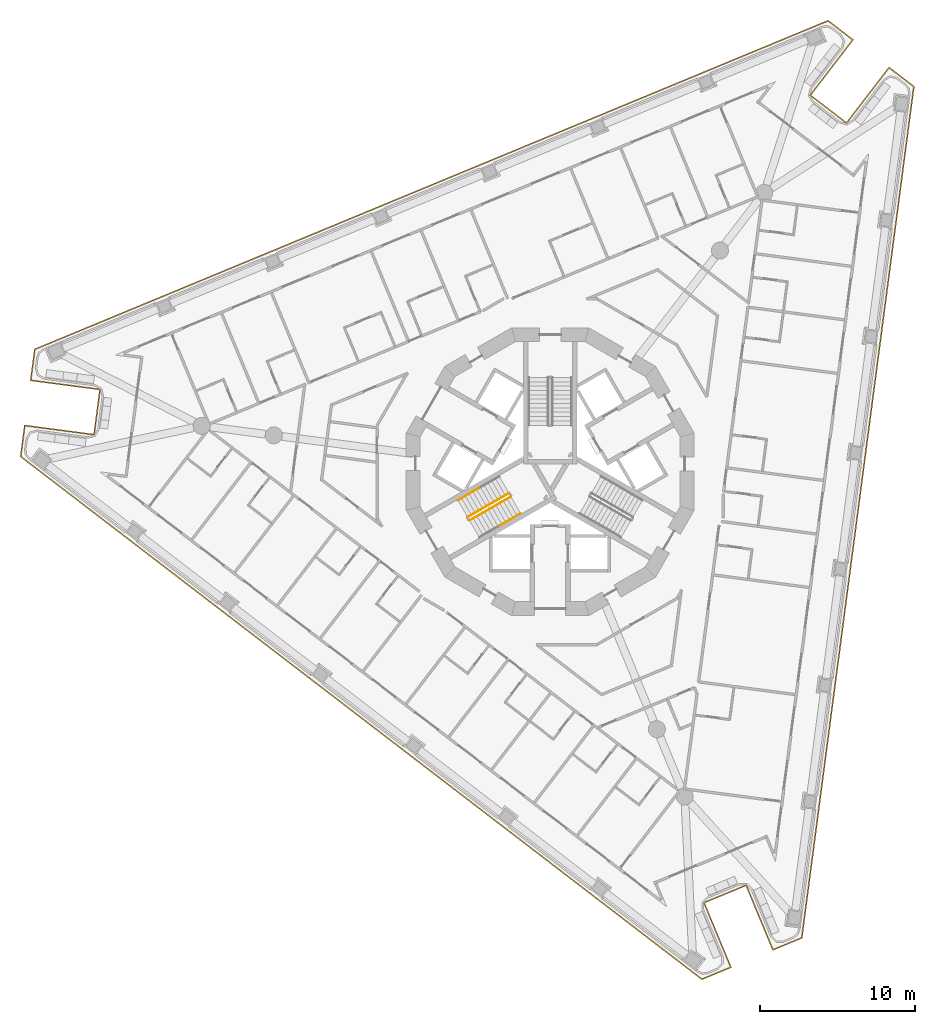
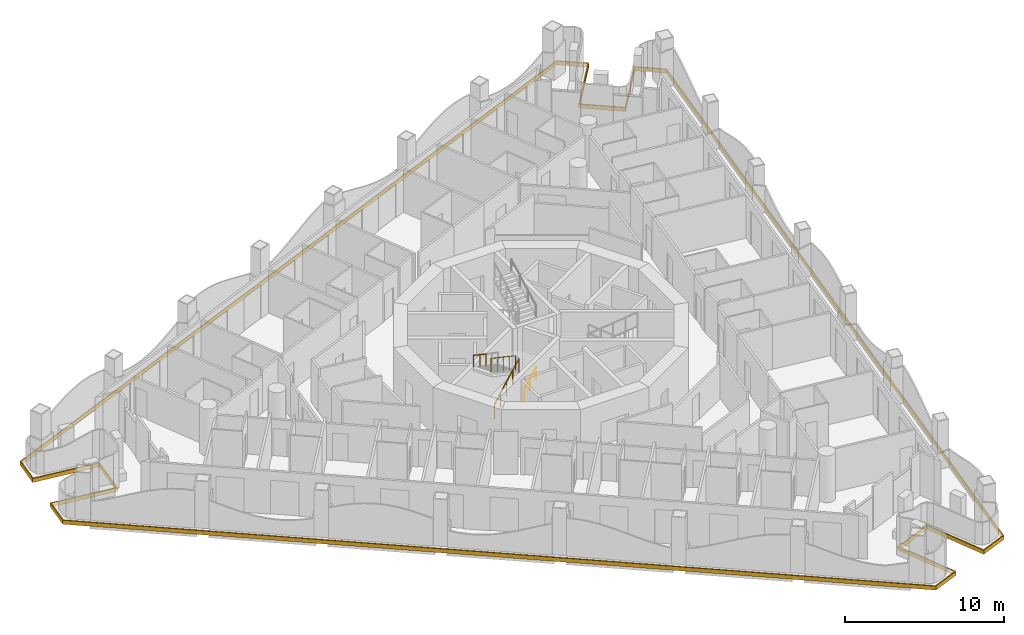
# One storey, part 12 of 17: 4 railings, 1 covering.
"""IFC4 building model written with IfcOpenShell, lengths in metres."""

from ifc_helpers import new_model, si_unit, direction, frame, origin, origin_2d, place, context, subcontext, project, spatial, polyline, circle, outline, extrude, material, layer, layer_set, type_object, element, save


model = new_model("IFC4")

# Units and contexts
model_context = context("Model", 3, precision=1e-05, world=origin(), true_north=direction((0.0, 1.0)))
body_context = subcontext(model_context, "Body", "Model", "MODEL_VIEW")
ifc_project = project(units=[si_unit("LENGTHUNIT", "METRE"), si_unit("AREAUNIT", "SQUARE_METRE"), si_unit("VOLUMEUNIT", "CUBIC_METRE"), si_unit("PLANEANGLEUNIT", "RADIAN"), si_unit("MASSUNIT", "GRAM", prefix="KILO")], contexts=[model_context])

# Site, building, storey
site_placement = place(None, origin())
site = spatial("IfcSite", under=ifc_project, at=site_placement, CompositionType="ELEMENT")
building_placement = place(site_placement, origin())
building = spatial("IfcBuilding", under=site, at=building_placement, Name="Trine Commons Tower", CompositionType="ELEMENT")
storey_placement = place(building_placement, frame((0.0, 0.0, 149.39990234375)))
storey = spatial("IfcBuildingStorey", under=building, at=storey_placement, Name="L38", CompositionType="ELEMENT", Elevation=149.39990234375)

# Covering
ifc_material_1 = material(Name="Limestone, honed", Category="masonry")
ifc_layer = layer(ifc_material_1, 0.074951171875)
ifc_layer_set = layer_set([ifc_layer], Name="Limestone, honed")
covering_type = type_object("IfcCoveringType", Name="Limestone spandrel panel 75", PredefinedType="CLADDING", material=ifc_layer_set)
covering_placement = place(storey_placement, frame((0.0, 0.0, -0.2998046875)))
element("IfcCovering", 1, at=covering_placement, inside=storey, type_object=covering_type, Name="Limestone spandrel panel 4-01", PredefinedType="CLADDING", context=body_context, shape_type="SweptSolid", body=[
    extrude(outline(polyline([(92.5986328125, 35.80810546875), (94.32080078125, 31.650634765625), (96.24462890625, 32.447509765625), (103.46923828125, 87.32421875), (101.817138671875, 88.591796875), (99.07763671875, 85.021728515625), (96.816650390625, 86.756591796875), (99.55615234375, 90.326904296875), (97.904052734375, 91.594482421875), (46.76708984375, 70.412841796875), (46.495361328125, 68.348388671875), (50.956787109375, 67.760986328125), (50.584716796875, 64.935302734375), (46.123291015625, 65.522705078125), (45.8515625, 63.4580078125), (89.763671875, 29.762939453125), (91.6875, 30.559814453125), (89.965576171875, 34.71728515625), (92.5986328125, 35.80810546875)]), holes=[polyline([(101.8310546875, 88.48681640625), (103.38916015625, 87.291015625), (96.17578125, 32.500244140625), (94.361328125, 31.74853515625), (92.63916015625, 35.906005859375), (89.867431640625, 34.758056640625), (91.589599609375, 30.6005859375), (89.77490234375, 29.848876953125), (45.931396484375, 63.4912109375), (46.187744140625, 65.4384765625), (50.6494140625, 64.85107421875), (51.041015625, 67.825439453125), (46.579345703125, 68.412841796875), (46.835693359375, 70.360107421875), (97.892578125, 91.508544921875), (99.450927734375, 90.31298828125), (96.71142578125, 86.742919921875), (99.091552734375, 84.91650390625), (101.8310546875, 88.48681640625)])]), origin(), (0.0, 0.0, 1.0), 0.2998046875),
])

# Railings
ifc_material_2 = material(Name="Stainless steel balustrade", Category="steel")
railing_type_1 = type_object("IfcRailingType", Name="Stair guard, steel balustrade 1100", PredefinedType="GUARDRAIL", material=ifc_material_2)
railing_1_placement = place(storey_placement, frame((74.80517578125, 59.3564453125, 0.150146484375)))
element("IfcRailing", 2, at=railing_1_placement, inside=storey, type_object=railing_type_1, Name="L38 ST2B stair guard 1", PredefinedType="GUARDRAIL", context=body_context, shape_type="SweptSolid", body=[
    extrude(circle(Radius=0.02392578125, at=origin_2d()), frame((0.0, 0.0, 1.076171875), z_axis=(0.76340495495, 0.440743040072, 0.472184759798), x_axis=(-0.499992328818, 0.866029832698, 0.0)), (0.0, 0.0, 1.0), 3.494140625),
    extrude(circle(Radius=0.02099609375, at=origin_2d()), origin(), (0.0, 0.0, 1.0), 1.052001953125),
    extrude(circle(Radius=0.02099609375, at=origin_2d()), frame((0.6669921875, 0.385009765625, 0.41259765625)), (0.0, 0.0, 1.0), 1.052001953125),
    extrude(circle(Radius=0.02099609375, at=origin_2d()), frame((1.333740234375, 0.77001953125, 0.824951171875)), (0.0, 0.0, 1.0), 1.052001953125),
    extrude(circle(Radius=0.02099609375, at=origin_2d()), frame((2.00048828125, 1.155029296875, 1.2373046875)), (0.0, 0.0, 1.0), 1.052001953125),
    extrude(circle(Radius=0.02099609375, at=origin_2d()), frame((2.66748046875, 1.5400390625, 1.64990234375)), (0.0, 0.0, 1.0), 1.052001953125),
])
railing_2_placement = place(storey_placement, frame((77.34765625, 61.113037109375, 1.9501953125)))
element("IfcRailing", 3, at=railing_2_placement, inside=storey, type_object=railing_type_1, Name="L38 ST2B stair guard 3", PredefinedType="GUARDRAIL", context=body_context, shape_type="SweptSolid", body=[
    extrude(circle(Radius=0.02392578125, at=origin_2d()), frame((0.0, 0.0, 1.076171875), z_axis=(-0.76340495495, -0.440743040072, 0.472184759798), x_axis=(0.499992328818, -0.866029832698, 0.0)), (0.0, 0.0, 1.0), 3.494140625),
    extrude(circle(Radius=0.02099609375, at=origin_2d()), origin(), (0.0, 0.0, 1.0), 1.052001953125),
    extrude(circle(Radius=0.02099609375, at=origin_2d()), frame((-0.6669921875, -0.385009765625, 0.41259765625)), (0.0, 0.0, 1.0), 1.052001953125),
    extrude(circle(Radius=0.02099609375, at=origin_2d()), frame((-1.333740234375, -0.77001953125, 0.824951171875)), (0.0, 0.0, 1.0), 1.052001953125),
    extrude(circle(Radius=0.02099609375, at=origin_2d()), frame((-2.00048828125, -1.155029296875, 1.2373046875)), (0.0, 0.0, 1.0), 1.052001953125),
    extrude(circle(Radius=0.02099609375, at=origin_2d()), frame((-2.66748046875, -1.5400390625, 1.64990234375)), (0.0, 0.0, 1.0), 1.052001953125),
])
ifc_material_3 = material(Name="Stainless steel handrail", Category="steel")
railing_type_2 = type_object("IfcRailingType", Name="Stair handrail, steel 900", PredefinedType="HANDRAIL", material=ifc_material_3)
railing_3_placement = place(storey_placement, frame((76.763916015625, 59.0439453125, 0.97509765625)))
element("IfcRailing", 4, at=railing_3_placement, inside=storey, type_object=railing_type_2, Name="L38 ST2B stair handrail 2", PredefinedType="HANDRAIL", context=body_context, shape_type="SweptSolid", body=[
    extrude(circle(Radius=0.02099609375, at=origin_2d()), frame((0.0, 0.0, 0.87890625), z_axis=(0.76340495495, 0.440743040072, 0.472184759798), x_axis=(-0.499992328818, 0.866029832698, 0.0)), (0.0, 0.0, 1.0), 1.7470703125),
    extrude(circle(Radius=0.01513671875, at=origin_2d()), origin(), (0.0, 0.0, 1.0), 0.85791015625),
    extrude(circle(Radius=0.01513671875, at=origin_2d()), frame((0.6669921875, 0.385009765625, 0.41259765625)), (0.0, 0.0, 1.0), 0.85791015625),
    extrude(circle(Radius=0.01513671875, at=origin_2d()), frame((1.333740234375, 0.77001953125, 0.824951171875)), (0.0, 0.0, 1.0), 0.85791015625),
])
railing_4_placement = place(storey_placement, frame((75.388916015625, 61.425537109375, 2.775146484375)))
element("IfcRailing", 5, at=railing_4_placement, inside=storey, type_object=railing_type_2, Name="L38 ST2B stair handrail 4", PredefinedType="HANDRAIL", context=body_context, shape_type="SweptSolid", body=[
    extrude(circle(Radius=0.02099609375, at=origin_2d()), frame((0.0, 0.0, 0.87890625), z_axis=(-0.76340495495, -0.440743040072, 0.472184759798), x_axis=(0.499992328818, -0.866029832698, 0.0)), (0.0, 0.0, 1.0), 1.7470703125),
    extrude(circle(Radius=0.01513671875, at=origin_2d()), origin(), (0.0, 0.0, 1.0), 0.85791015625),
    extrude(circle(Radius=0.01513671875, at=origin_2d()), frame((-0.6669921875, -0.385009765625, 0.41259765625)), (0.0, 0.0, 1.0), 0.85791015625),
    extrude(circle(Radius=0.01513671875, at=origin_2d()), frame((-1.333740234375, -0.77001953125, 0.824951171875)), (0.0, 0.0, 1.0), 0.85791015625),
])

save(model, "model.ifc")
